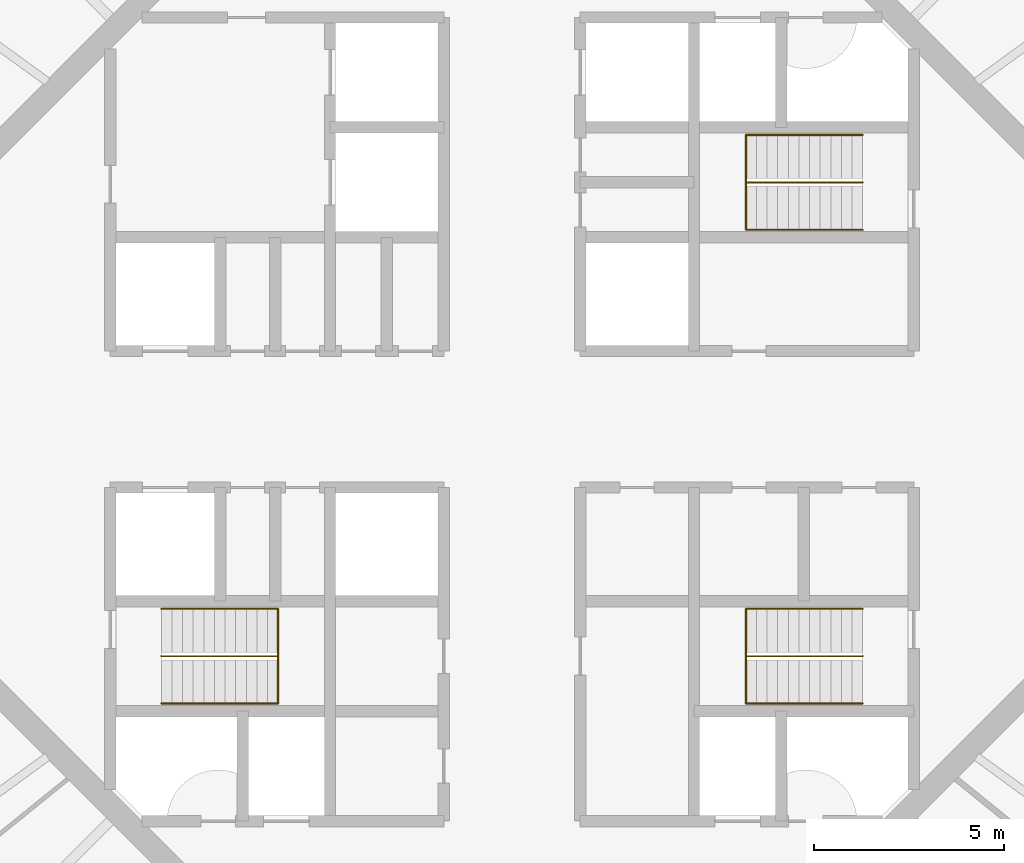
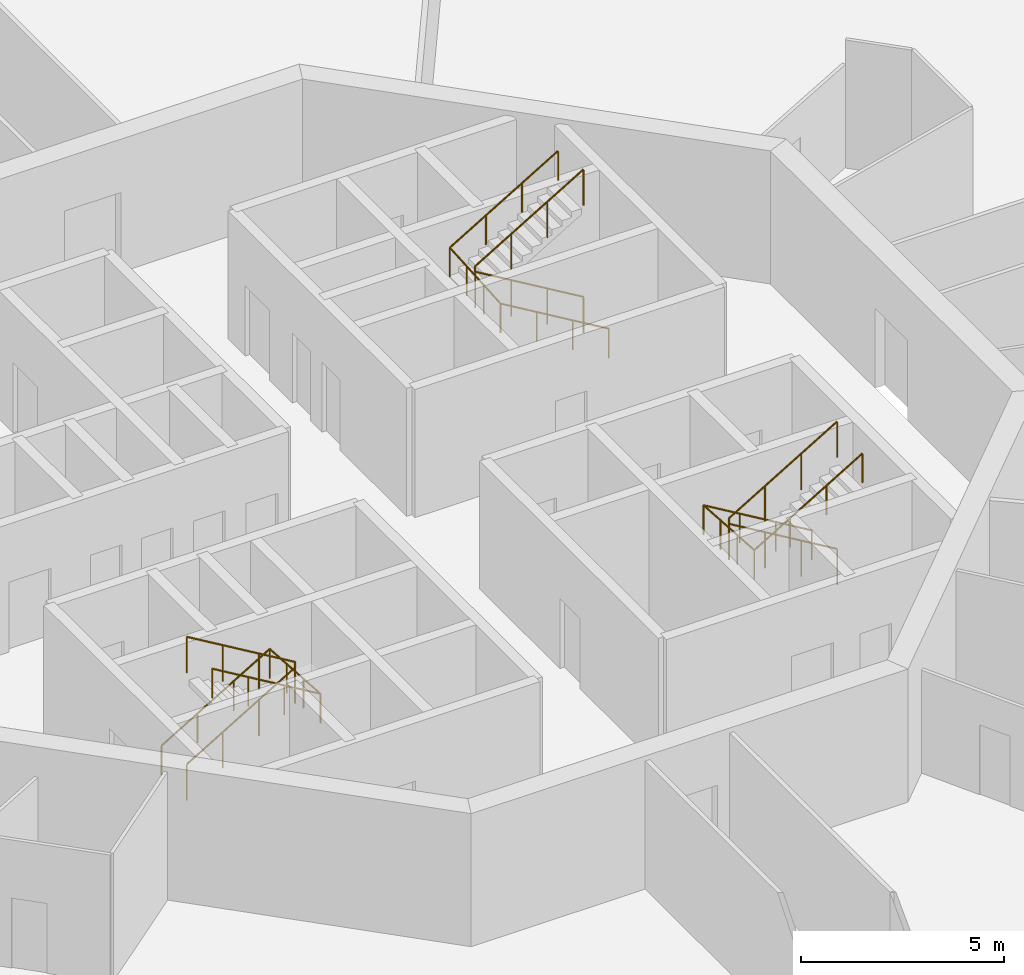
# One storey, part 18 of 18: 6 railings.
"""IFC4 building model written with IfcOpenShell, lengths in metres."""

from ifc_helpers import new_model, si_unit, direction, frame, origin, origin_2d, place, context, subcontext, project, spatial, circle, extrude, material, type_object, element, save


model = new_model("IFC4")

# Units and contexts
model_context = context("Model", 3, precision=1e-05, world=origin(), true_north=direction((0.0, 1.0)))
body_context = subcontext(model_context, "Body", "Model", "MODEL_VIEW")
ifc_project = project(units=[si_unit("LENGTHUNIT", "METRE"), si_unit("AREAUNIT", "SQUARE_METRE"), si_unit("VOLUMEUNIT", "CUBIC_METRE"), si_unit("PLANEANGLEUNIT", "RADIAN"), si_unit("MASSUNIT", "GRAM", prefix="KILO")], contexts=[model_context])

# Site, building, storey
site_placement = place(None, origin())
site = spatial("IfcSite", under=ifc_project, at=site_placement, CompositionType="ELEMENT")
building_placement = place(site_placement, origin())
building = spatial("IfcBuilding", under=site, at=building_placement, Name="Entoto Ring Tower", CompositionType="ELEMENT")
storey_placement = place(building_placement, frame((0.0, 0.0, 352.0)))
storey = spatial("IfcBuildingStorey", under=building, at=storey_placement, Name="L81", CompositionType="ELEMENT", Elevation=352.0)

# Railings
ifc_material_1 = material(Name="Steel S275", Category="steel")
railing_type_1 = type_object("IfcRailingType", Name="Stair guard 1100 mm steel", PredefinedType="GUARDRAIL", material=ifc_material_1)
railing_1_placement = place(storey_placement, frame((99.25, 86.25, 0.166748046875)))
element("IfcRailing", 1, at=railing_1_placement, inside=storey, type_object=railing_type_1, Name="Guard ST1", PredefinedType="GUARDRAIL", context=body_context, shape_type="SweptSolid", body=[
    extrude(circle(Radius=0.02392578125, at=origin_2d()), frame((0.0, 0.0, 1.076171875), z_axis=(-0.859308565015, 0.0, 0.511457515432), x_axis=(0.0, -1.0, 0.0)), (0.0, 0.0, 1.0), 3.58447265625),
    extrude(circle(Radius=0.02392578125, at=origin_2d()), frame((-3.080078125, 0.0, 2.9091796875), z_axis=(0.0, 0.0, 1.0), x_axis=(1.0, 0.0, 0.0)), (0.0, 0.0, 1.0), 0.166748046875),
    extrude(circle(Radius=0.02392578125, at=origin_2d()), frame((-3.080078125, 0.0, 3.076171875), z_axis=(0.859308565015, 0.0, 0.511457515432), x_axis=(0.0, 1.0, 0.0)), (0.0, 0.0, 1.0), 3.58447265625),
    extrude(circle(Radius=0.02099609375, at=origin_2d()), origin(), (0.0, 0.0, 1.0), 1.052001953125),
    extrude(circle(Radius=0.02099609375, at=origin_2d()), frame((-1.026611328125, 0.0, 0.611083984375)), (0.0, 0.0, 1.0), 1.052001953125),
    extrude(circle(Radius=0.02099609375, at=origin_2d()), frame((-2.053466796875, 0.0, 1.22216796875)), (0.0, 0.0, 1.0), 1.052001953125),
    extrude(circle(Radius=0.02099609375, at=origin_2d()), frame((-3.080078125, 0.0, 1.833251953125)), (0.0, 0.0, 1.0), 1.052001953125),
    extrude(circle(Radius=0.02099609375, at=origin_2d()), frame((-3.080078125, 0.0, 2.0)), (0.0, 0.0, 1.0), 1.052001953125),
    extrude(circle(Radius=0.02099609375, at=origin_2d()), frame((-2.053466796875, 0.0, 2.611083984375)), (0.0, 0.0, 1.0), 1.052001953125),
    extrude(circle(Radius=0.02099609375, at=origin_2d()), frame((-1.026611328125, 0.0, 3.22216796875)), (0.0, 0.0, 1.0), 1.052001953125),
    extrude(circle(Radius=0.02099609375, at=origin_2d()), frame((0.0, 0.0, 3.833251953125)), (0.0, 0.0, 1.0), 1.052001953125),
])
railing_2_placement = place(storey_placement, frame((80.75, 73.75, 0.166748046875)))
element("IfcRailing", 2, at=railing_2_placement, inside=storey, type_object=railing_type_1, Name="Guard ST2", PredefinedType="GUARDRAIL", context=body_context, shape_type="SweptSolid", body=[
    extrude(circle(Radius=0.02392578125, at=origin_2d()), frame((0.0, 0.0, 1.076171875), z_axis=(0.859308565015, 0.0, 0.511457515432), x_axis=(0.0, 1.0, 0.0)), (0.0, 0.0, 1.0), 3.58447265625),
    extrude(circle(Radius=0.02392578125, at=origin_2d()), frame((3.080078125, 0.0, 2.9091796875), z_axis=(0.0, 0.0, 1.0), x_axis=(1.0, 0.0, 0.0)), (0.0, 0.0, 1.0), 0.166748046875),
    extrude(circle(Radius=0.02392578125, at=origin_2d()), frame((3.080078125, 0.0, 3.076171875), z_axis=(-0.859308565015, 0.0, 0.511457515432), x_axis=(0.0, -1.0, 0.0)), (0.0, 0.0, 1.0), 3.58447265625),
    extrude(circle(Radius=0.02099609375, at=origin_2d()), origin(), (0.0, 0.0, 1.0), 1.052001953125),
    extrude(circle(Radius=0.02099609375, at=origin_2d()), frame((1.026611328125, 0.0, 0.611083984375)), (0.0, 0.0, 1.0), 1.052001953125),
    extrude(circle(Radius=0.02099609375, at=origin_2d()), frame((2.053466796875, 0.0, 1.22216796875)), (0.0, 0.0, 1.0), 1.052001953125),
    extrude(circle(Radius=0.02099609375, at=origin_2d()), frame((3.080078125, 0.0, 1.833251953125)), (0.0, 0.0, 1.0), 1.052001953125),
    extrude(circle(Radius=0.02099609375, at=origin_2d()), frame((3.080078125, 0.0, 2.0)), (0.0, 0.0, 1.0), 1.052001953125),
    extrude(circle(Radius=0.02099609375, at=origin_2d()), frame((2.053466796875, 0.0, 2.611083984375)), (0.0, 0.0, 1.0), 1.052001953125),
    extrude(circle(Radius=0.02099609375, at=origin_2d()), frame((1.026611328125, 0.0, 3.22216796875)), (0.0, 0.0, 1.0), 1.052001953125),
    extrude(circle(Radius=0.02099609375, at=origin_2d()), frame((0.0, 0.0, 3.833251953125)), (0.0, 0.0, 1.0), 1.052001953125),
])
railing_3_placement = place(storey_placement, frame((99.25, 73.75, 0.166748046875)))
element("IfcRailing", 3, at=railing_3_placement, inside=storey, type_object=railing_type_1, Name="Guard ST3", PredefinedType="GUARDRAIL", context=body_context, shape_type="SweptSolid", body=[
    extrude(circle(Radius=0.02392578125, at=origin_2d()), frame((0.0, 0.0, 1.076171875), z_axis=(-0.859308565015, 0.0, 0.511457515432), x_axis=(0.0, -1.0, 0.0)), (0.0, 0.0, 1.0), 3.58447265625),
    extrude(circle(Radius=0.02392578125, at=origin_2d()), frame((-3.080078125, 0.0, 2.9091796875), z_axis=(0.0, 0.0, 1.0), x_axis=(1.0, 0.0, 0.0)), (0.0, 0.0, 1.0), 0.166748046875),
    extrude(circle(Radius=0.02392578125, at=origin_2d()), frame((-3.080078125, 0.0, 3.076171875), z_axis=(0.859308565015, 0.0, 0.511457515432), x_axis=(0.0, 1.0, 0.0)), (0.0, 0.0, 1.0), 3.58447265625),
    extrude(circle(Radius=0.02099609375, at=origin_2d()), origin(), (0.0, 0.0, 1.0), 1.052001953125),
    extrude(circle(Radius=0.02099609375, at=origin_2d()), frame((-1.026611328125, 0.0, 0.611083984375)), (0.0, 0.0, 1.0), 1.052001953125),
    extrude(circle(Radius=0.02099609375, at=origin_2d()), frame((-2.053466796875, 0.0, 1.22216796875)), (0.0, 0.0, 1.0), 1.052001953125),
    extrude(circle(Radius=0.02099609375, at=origin_2d()), frame((-3.080078125, 0.0, 1.833251953125)), (0.0, 0.0, 1.0), 1.052001953125),
    extrude(circle(Radius=0.02099609375, at=origin_2d()), frame((-3.080078125, 0.0, 2.0)), (0.0, 0.0, 1.0), 1.052001953125),
    extrude(circle(Radius=0.02099609375, at=origin_2d()), frame((-2.053466796875, 0.0, 2.611083984375)), (0.0, 0.0, 1.0), 1.052001953125),
    extrude(circle(Radius=0.02099609375, at=origin_2d()), frame((-1.026611328125, 0.0, 3.22216796875)), (0.0, 0.0, 1.0), 1.052001953125),
    extrude(circle(Radius=0.02099609375, at=origin_2d()), frame((0.0, 0.0, 3.833251953125)), (0.0, 0.0, 1.0), 1.052001953125),
])
ifc_material_2 = material(Name="Steel S275", Category="steel")
railing_type_2 = type_object("IfcRailingType", Name="Stair handrail 900 mm steel", PredefinedType="HANDRAIL", material=ifc_material_2)
railing_4_placement = place(storey_placement, frame((99.25, 85.0, 0.166748046875)))
element("IfcRailing", 4, at=railing_4_placement, inside=storey, type_object=railing_type_2, Name="Handrail ST1", PredefinedType="HANDRAIL", context=body_context, shape_type="SweptSolid", body=[
    extrude(circle(Radius=0.02392578125, at=origin_2d()), frame((0.0, 0.0, 0.8759765625), z_axis=(-0.859308565015, 0.0, 0.511457515432), x_axis=(0.0, -1.0, 0.0)), (0.0, 0.0, 1.0), 3.58447265625),
    extrude(circle(Radius=0.02392578125, at=origin_2d()), frame((-3.080078125, 0.0, 2.708984375), z_axis=(0.0, 0.997783001586, 0.066551346688), x_axis=(-1.0, 0.0, 0.0)), (0.0, 0.0, 1.0), 2.505615234375),
    extrude(circle(Radius=0.02392578125, at=origin_2d()), frame((-3.080078125, 2.5, 2.8759765625), z_axis=(0.859308565015, 0.0, 0.511457515432), x_axis=(0.0, 1.0, 0.0)), (0.0, 0.0, 1.0), 3.58447265625),
    extrude(circle(Radius=0.02099609375, at=origin_2d()), origin(), (0.0, 0.0, 1.0), 0.851806640625),
    extrude(circle(Radius=0.02099609375, at=origin_2d()), frame((-1.026611328125, 0.0, 0.611083984375)), (0.0, 0.0, 1.0), 0.851806640625),
    extrude(circle(Radius=0.02099609375, at=origin_2d()), frame((-2.053466796875, 0.0, 1.22216796875)), (0.0, 0.0, 1.0), 0.851806640625),
    extrude(circle(Radius=0.02099609375, at=origin_2d()), frame((-3.080078125, 0.0, 1.833251953125)), (0.0, 0.0, 1.0), 0.851806640625),
    extrude(circle(Radius=0.02099609375, at=origin_2d()), frame((-3.080078125, 0.833251953125, 1.888916015625)), (0.0, 0.0, 1.0), 0.851806640625),
    extrude(circle(Radius=0.02099609375, at=origin_2d()), frame((-3.080078125, 1.666748046875, 1.9443359375)), (0.0, 0.0, 1.0), 0.851806640625),
    extrude(circle(Radius=0.02099609375, at=origin_2d()), frame((-3.080078125, 2.5, 2.0)), (0.0, 0.0, 1.0), 0.851806640625),
    extrude(circle(Radius=0.02099609375, at=origin_2d()), frame((-2.053466796875, 2.5, 2.611083984375)), (0.0, 0.0, 1.0), 0.851806640625),
    extrude(circle(Radius=0.02099609375, at=origin_2d()), frame((-1.026611328125, 2.5, 3.22216796875)), (0.0, 0.0, 1.0), 0.851806640625),
    extrude(circle(Radius=0.02099609375, at=origin_2d()), frame((0.0, 2.5, 3.833251953125)), (0.0, 0.0, 1.0), 0.851806640625),
])
railing_5_placement = place(storey_placement, frame((80.75, 75.0, 0.166748046875)))
element("IfcRailing", 5, at=railing_5_placement, inside=storey, type_object=railing_type_2, Name="Handrail ST2", PredefinedType="HANDRAIL", context=body_context, shape_type="SweptSolid", body=[
    extrude(circle(Radius=0.02392578125, at=origin_2d()), frame((0.0, 0.0, 0.8759765625), z_axis=(0.859308565015, 0.0, 0.511457515432), x_axis=(0.0, 1.0, 0.0)), (0.0, 0.0, 1.0), 3.58447265625),
    extrude(circle(Radius=0.02392578125, at=origin_2d()), frame((3.080078125, 0.0, 2.708984375), z_axis=(0.0, -0.997783001586, 0.066551346688), x_axis=(1.0, 0.0, 0.0)), (0.0, 0.0, 1.0), 2.505615234375),
    extrude(circle(Radius=0.02392578125, at=origin_2d()), frame((3.080078125, -2.5, 2.8759765625), z_axis=(-0.859308565015, 0.0, 0.511457515432), x_axis=(0.0, -1.0, 0.0)), (0.0, 0.0, 1.0), 3.58447265625),
    extrude(circle(Radius=0.02099609375, at=origin_2d()), origin(), (0.0, 0.0, 1.0), 0.851806640625),
    extrude(circle(Radius=0.02099609375, at=origin_2d()), frame((1.026611328125, 0.0, 0.611083984375)), (0.0, 0.0, 1.0), 0.851806640625),
    extrude(circle(Radius=0.02099609375, at=origin_2d()), frame((2.053466796875, 0.0, 1.22216796875)), (0.0, 0.0, 1.0), 0.851806640625),
    extrude(circle(Radius=0.02099609375, at=origin_2d()), frame((3.080078125, 0.0, 1.833251953125)), (0.0, 0.0, 1.0), 0.851806640625),
    extrude(circle(Radius=0.02099609375, at=origin_2d()), frame((3.080078125, -0.833251953125, 1.888916015625)), (0.0, 0.0, 1.0), 0.851806640625),
    extrude(circle(Radius=0.02099609375, at=origin_2d()), frame((3.080078125, -1.666748046875, 1.9443359375)), (0.0, 0.0, 1.0), 0.851806640625),
    extrude(circle(Radius=0.02099609375, at=origin_2d()), frame((3.080078125, -2.5, 2.0)), (0.0, 0.0, 1.0), 0.851806640625),
    extrude(circle(Radius=0.02099609375, at=origin_2d()), frame((2.053466796875, -2.5, 2.611083984375)), (0.0, 0.0, 1.0), 0.851806640625),
    extrude(circle(Radius=0.02099609375, at=origin_2d()), frame((1.026611328125, -2.5, 3.22216796875)), (0.0, 0.0, 1.0), 0.851806640625),
    extrude(circle(Radius=0.02099609375, at=origin_2d()), frame((0.0, -2.5, 3.833251953125)), (0.0, 0.0, 1.0), 0.851806640625),
])
railing_6_placement = place(storey_placement, frame((99.25, 75.0, 0.166748046875)))
element("IfcRailing", 6, at=railing_6_placement, inside=storey, type_object=railing_type_2, Name="Handrail ST3", PredefinedType="HANDRAIL", context=body_context, shape_type="SweptSolid", body=[
    extrude(circle(Radius=0.02392578125, at=origin_2d()), frame((0.0, 0.0, 0.8759765625), z_axis=(-0.859308565015, 0.0, 0.511457515432), x_axis=(0.0, -1.0, 0.0)), (0.0, 0.0, 1.0), 3.58447265625),
    extrude(circle(Radius=0.02392578125, at=origin_2d()), frame((-3.080078125, 0.0, 2.708984375), z_axis=(0.0, -0.997783001586, 0.066551346688), x_axis=(1.0, 0.0, 0.0)), (0.0, 0.0, 1.0), 2.505615234375),
    extrude(circle(Radius=0.02392578125, at=origin_2d()), frame((-3.080078125, -2.5, 2.8759765625), z_axis=(0.859308565015, 0.0, 0.511457515432), x_axis=(0.0, 1.0, 0.0)), (0.0, 0.0, 1.0), 3.58447265625),
    extrude(circle(Radius=0.02099609375, at=origin_2d()), origin(), (0.0, 0.0, 1.0), 0.851806640625),
    extrude(circle(Radius=0.02099609375, at=origin_2d()), frame((-1.026611328125, 0.0, 0.611083984375)), (0.0, 0.0, 1.0), 0.851806640625),
    extrude(circle(Radius=0.02099609375, at=origin_2d()), frame((-2.053466796875, 0.0, 1.22216796875)), (0.0, 0.0, 1.0), 0.851806640625),
    extrude(circle(Radius=0.02099609375, at=origin_2d()), frame((-3.080078125, 0.0, 1.833251953125)), (0.0, 0.0, 1.0), 0.851806640625),
    extrude(circle(Radius=0.02099609375, at=origin_2d()), frame((-3.080078125, -0.833251953125, 1.888916015625)), (0.0, 0.0, 1.0), 0.851806640625),
    extrude(circle(Radius=0.02099609375, at=origin_2d()), frame((-3.080078125, -1.666748046875, 1.9443359375)), (0.0, 0.0, 1.0), 0.851806640625),
    extrude(circle(Radius=0.02099609375, at=origin_2d()), frame((-3.080078125, -2.5, 2.0)), (0.0, 0.0, 1.0), 0.851806640625),
    extrude(circle(Radius=0.02099609375, at=origin_2d()), frame((-2.053466796875, -2.5, 2.611083984375)), (0.0, 0.0, 1.0), 0.851806640625),
    extrude(circle(Radius=0.02099609375, at=origin_2d()), frame((-1.026611328125, -2.5, 3.22216796875)), (0.0, 0.0, 1.0), 0.851806640625),
    extrude(circle(Radius=0.02099609375, at=origin_2d()), frame((0.0, -2.5, 3.833251953125)), (0.0, 0.0, 1.0), 0.851806640625),
])

save(model, "model.ifc")
